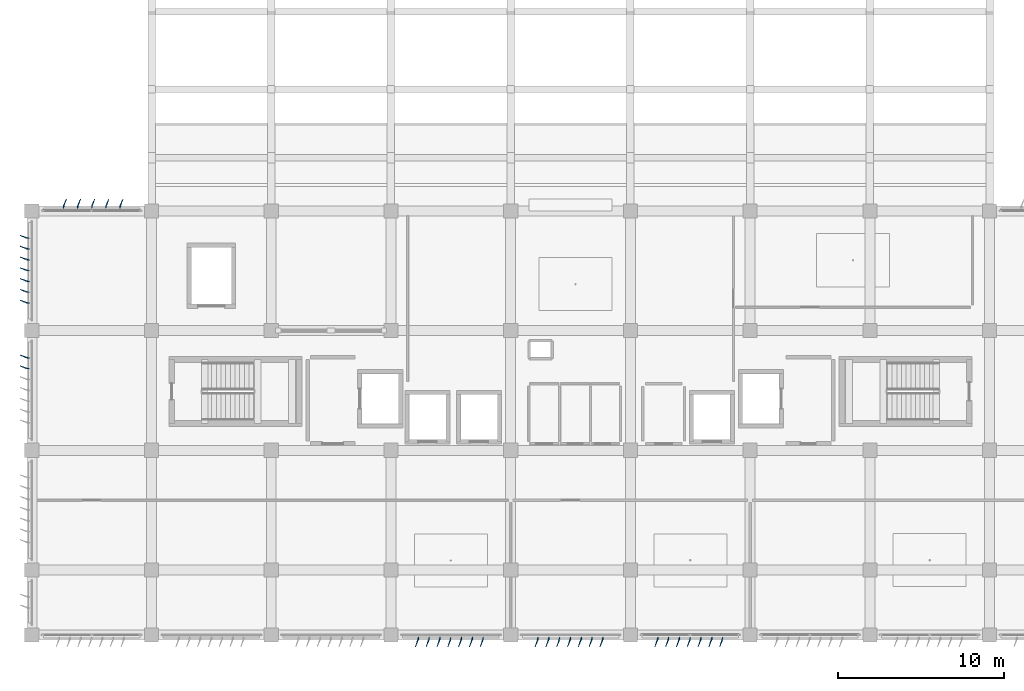
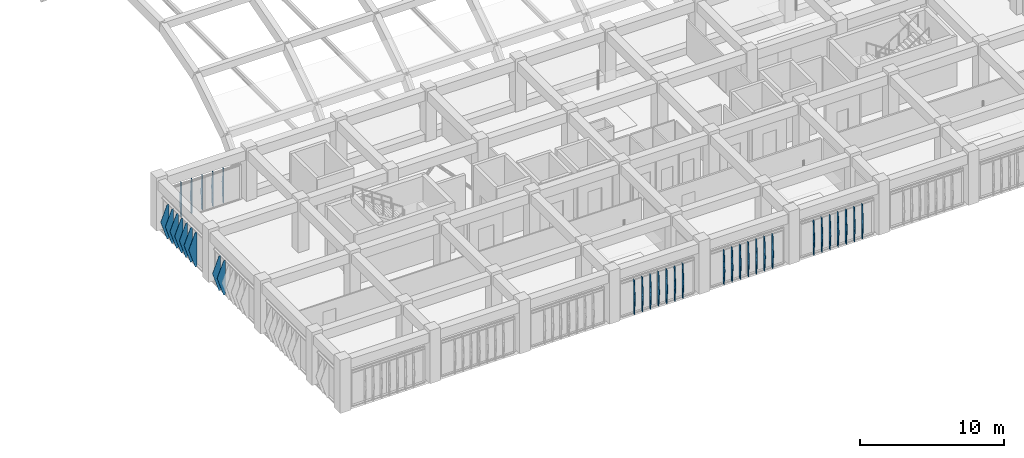
# One storey, part 43 of 48: 35 plates.
"""IFC4 building model written with IfcOpenShell, lengths in metres."""

from ifc_helpers import new_model, si_unit, direction, frame, origin, place, context, subcontext, project, spatial, polygons, material, layer, layer_set, type_object, element, save


model = new_model("IFC4")

# Units and contexts
model_context = context("Model", 3, precision=1e-05, world=origin(), true_north=direction((0.0, 1.0)))
body_context = subcontext(model_context, "Body", "Model", "MODEL_VIEW")
ifc_project = project(units=[si_unit("LENGTHUNIT", "METRE"), si_unit("AREAUNIT", "SQUARE_METRE"), si_unit("VOLUMEUNIT", "CUBIC_METRE"), si_unit("PLANEANGLEUNIT", "RADIAN"), si_unit("MASSUNIT", "GRAM", prefix="KILO")], contexts=[model_context])

# Site, building, storey
site_placement = place(None, origin())
site = spatial("IfcSite", under=ifc_project, at=site_placement, CompositionType="ELEMENT")
building_placement = place(site_placement, origin())
building = spatial("IfcBuilding", under=site, at=building_placement, Name="Kazehaya Institute of Natural Sciences", CompositionType="ELEMENT")
storey_placement = place(building_placement, frame((0.0, 0.0, 19.800048828125)))
storey = spatial("IfcBuildingStorey", under=building, at=storey_placement, Name="L04", CompositionType="ELEMENT", Elevation=19.800048828125)

# Plates
ifc_material = material(Name="Bronze-anodised aluminium alloy A6063S-T5", Category="aluminium")
ifc_layer_1 = layer(ifc_material, 0.02001953125, Name="Bronze-anodised aluminium alloy A6063S-T5", Category="aluminium")
ifc_layer_set_1 = layer_set([ifc_layer_1], Name="Bronze-anodised aluminium alloy A6063S-T5")
plate_type_1 = type_object("IfcPlateType", Name="FIN-DF-E1", PredefinedType="USERDEFINED", material=ifc_layer_set_1)
plate_1_placement = place(storey_placement, origin())
element("IfcPlate", 1, at=plate_1_placement, inside=storey, type_object=plate_type_1, Name="L04 folded diamond-pyramid shading fin FIN-L04-W-0209", ObjectType="SHADING_FIN", PredefinedType="USERDEFINED", context=body_context, shape_type="Tessellation", body=[
    polygons([(54.445068359375, 26.090087890625, 0.0400390625), (54.300048828125, 26.090087890625, 0.0400390625), (53.889892578125, 26.268798828125, 1.5), (54.300048828125, 26.090087890625, 2.9599609375), (54.445068359375, 26.090087890625, 2.9599609375), (54.445068359375, 26.110107421875, 0.0400390625), (54.300048828125, 26.110107421875, 0.0400390625), (53.889892578125, 26.288818359375, 1.5), (54.300048828125, 26.110107421875, 2.9599609375), (54.445068359375, 26.110107421875, 2.9599609375)], [[[1, 5, 4, 3, 2]], [[6, 7, 8, 9, 10]], [[1, 2, 7, 6]], [[2, 3, 8, 7]], [[3, 4, 9, 8]], [[4, 5, 10, 9]], [[5, 1, 6, 10]]], closed=True),
])
plate_2_placement = place(storey_placement, origin())
element("IfcPlate", 2, at=plate_2_placement, inside=storey, type_object=plate_type_1, Name="L04 folded diamond-pyramid shading fin FIN-L04-W-0210", ObjectType="SHADING_FIN", PredefinedType="USERDEFINED", context=body_context, shape_type="Tessellation", body=[
    polygons([(54.445068359375, 26.739990234375, 0.0400390625), (54.300048828125, 26.739990234375, 0.0400390625), (53.889892578125, 26.918701171875, 1.5), (54.300048828125, 26.739990234375, 2.9599609375), (54.445068359375, 26.739990234375, 2.9599609375), (54.445068359375, 26.760009765625, 0.0400390625), (54.300048828125, 26.760009765625, 0.0400390625), (53.889892578125, 26.938720703125, 1.5), (54.300048828125, 26.760009765625, 2.9599609375), (54.445068359375, 26.760009765625, 2.9599609375)], [[[1, 5, 4, 3, 2]], [[6, 7, 8, 9, 10]], [[1, 2, 7, 6]], [[2, 3, 8, 7]], [[3, 4, 9, 8]], [[4, 5, 10, 9]], [[5, 1, 6, 10]]], closed=True),
])
plate_3_placement = place(storey_placement, origin())
element("IfcPlate", 3, at=plate_3_placement, inside=storey, type_object=plate_type_1, Name="L04 folded diamond-pyramid shading fin FIN-L04-W-0218", ObjectType="SHADING_FIN", PredefinedType="USERDEFINED", context=body_context, shape_type="Tessellation", body=[
    polygons([(54.445068359375, 30.0400390625, 0.0400390625), (54.300048828125, 30.0400390625, 0.0400390625), (53.889892578125, 30.21875, 1.5), (54.300048828125, 30.0400390625, 2.9599609375), (54.445068359375, 30.0400390625, 2.9599609375), (54.445068359375, 30.06005859375, 0.0400390625), (54.300048828125, 30.06005859375, 0.0400390625), (53.889892578125, 30.23876953125, 1.5), (54.300048828125, 30.06005859375, 2.9599609375), (54.445068359375, 30.06005859375, 2.9599609375)], [[[1, 5, 4, 3, 2]], [[6, 7, 8, 9, 10]], [[1, 2, 7, 6]], [[2, 3, 8, 7]], [[3, 4, 9, 8]], [[4, 5, 10, 9]], [[5, 1, 6, 10]]], closed=True),
])
plate_4_placement = place(storey_placement, origin())
element("IfcPlate", 4, at=plate_4_placement, inside=storey, type_object=plate_type_1, Name="L04 folded diamond-pyramid shading fin FIN-L04-W-0219", ObjectType="SHADING_FIN", PredefinedType="USERDEFINED", context=body_context, shape_type="Tessellation", body=[
    polygons([(54.445068359375, 30.68994140625, 0.0400390625), (54.300048828125, 30.68994140625, 0.0400390625), (53.889892578125, 30.86865234375, 1.5), (54.300048828125, 30.68994140625, 2.9599609375), (54.445068359375, 30.68994140625, 2.9599609375), (54.445068359375, 30.7099609375, 0.0400390625), (54.300048828125, 30.7099609375, 0.0400390625), (53.889892578125, 30.888671875, 1.5), (54.300048828125, 30.7099609375, 2.9599609375), (54.445068359375, 30.7099609375, 2.9599609375)], [[[1, 5, 4, 3, 2]], [[6, 7, 8, 9, 10]], [[1, 2, 7, 6]], [[2, 3, 8, 7]], [[3, 4, 9, 8]], [[4, 5, 10, 9]], [[5, 1, 6, 10]]], closed=True),
])
plate_5_placement = place(storey_placement, origin())
element("IfcPlate", 5, at=plate_5_placement, inside=storey, type_object=plate_type_1, Name="L04 folded diamond-pyramid shading fin FIN-L04-W-0220", ObjectType="SHADING_FIN", PredefinedType="USERDEFINED", context=body_context, shape_type="Tessellation", body=[
    polygons([(54.445068359375, 31.340087890625, 0.0400390625), (54.300048828125, 31.340087890625, 0.0400390625), (53.889892578125, 31.518798828125, 1.5), (54.300048828125, 31.340087890625, 2.9599609375), (54.445068359375, 31.340087890625, 2.9599609375), (54.445068359375, 31.360107421875, 0.0400390625), (54.300048828125, 31.360107421875, 0.0400390625), (53.889892578125, 31.538818359375, 1.5), (54.300048828125, 31.360107421875, 2.9599609375), (54.445068359375, 31.360107421875, 2.9599609375)], [[[1, 5, 4, 3, 2]], [[6, 7, 8, 9, 10]], [[1, 2, 7, 6]], [[2, 3, 8, 7]], [[3, 4, 9, 8]], [[4, 5, 10, 9]], [[5, 1, 6, 10]]], closed=True),
])
plate_6_placement = place(storey_placement, origin())
element("IfcPlate", 6, at=plate_6_placement, inside=storey, type_object=plate_type_1, Name="L04 folded diamond-pyramid shading fin FIN-L04-W-0221", ObjectType="SHADING_FIN", PredefinedType="USERDEFINED", context=body_context, shape_type="Tessellation", body=[
    polygons([(54.445068359375, 31.989990234375, 0.0400390625), (54.300048828125, 31.989990234375, 0.0400390625), (53.889892578125, 32.168701171875, 1.5), (54.300048828125, 31.989990234375, 2.9599609375), (54.445068359375, 31.989990234375, 2.9599609375), (54.445068359375, 32.010009765625, 0.0400390625), (54.300048828125, 32.010009765625, 0.0400390625), (53.889892578125, 32.188720703125, 1.5), (54.300048828125, 32.010009765625, 2.9599609375), (54.445068359375, 32.010009765625, 2.9599609375)], [[[1, 5, 4, 3, 2]], [[6, 7, 8, 9, 10]], [[1, 2, 7, 6]], [[2, 3, 8, 7]], [[3, 4, 9, 8]], [[4, 5, 10, 9]], [[5, 1, 6, 10]]], closed=True),
])
plate_7_placement = place(storey_placement, origin())
element("IfcPlate", 7, at=plate_7_placement, inside=storey, type_object=plate_type_1, Name="L04 folded diamond-pyramid shading fin FIN-L04-W-0222", ObjectType="SHADING_FIN", PredefinedType="USERDEFINED", context=body_context, shape_type="Tessellation", body=[
    polygons([(54.445068359375, 32.639892578125, 0.0400390625), (54.300048828125, 32.639892578125, 0.0400390625), (53.889892578125, 32.818603515625, 1.5), (54.300048828125, 32.639892578125, 2.9599609375), (54.445068359375, 32.639892578125, 2.9599609375), (54.445068359375, 32.659912109375, 0.0400390625), (54.300048828125, 32.659912109375, 0.0400390625), (53.889892578125, 32.838623046875, 1.5), (54.300048828125, 32.659912109375, 2.9599609375), (54.445068359375, 32.659912109375, 2.9599609375)], [[[1, 5, 4, 3, 2]], [[6, 7, 8, 9, 10]], [[1, 2, 7, 6]], [[2, 3, 8, 7]], [[3, 4, 9, 8]], [[4, 5, 10, 9]], [[5, 1, 6, 10]]], closed=True),
])
plate_8_placement = place(storey_placement, origin())
element("IfcPlate", 8, at=plate_8_placement, inside=storey, type_object=plate_type_1, Name="L04 folded diamond-pyramid shading fin FIN-L04-W-0223", ObjectType="SHADING_FIN", PredefinedType="USERDEFINED", context=body_context, shape_type="Tessellation", body=[
    polygons([(54.445068359375, 33.2900390625, 0.0400390625), (54.300048828125, 33.2900390625, 0.0400390625), (53.889892578125, 33.46875, 1.5), (54.300048828125, 33.2900390625, 2.9599609375), (54.445068359375, 33.2900390625, 2.9599609375), (54.445068359375, 33.31005859375, 0.0400390625), (54.300048828125, 33.31005859375, 0.0400390625), (53.889892578125, 33.48876953125, 1.5), (54.300048828125, 33.31005859375, 2.9599609375), (54.445068359375, 33.31005859375, 2.9599609375)], [[[1, 5, 4, 3, 2]], [[6, 7, 8, 9, 10]], [[1, 2, 7, 6]], [[2, 3, 8, 7]], [[3, 4, 9, 8]], [[4, 5, 10, 9]], [[5, 1, 6, 10]]], closed=True),
])
plate_9_placement = place(storey_placement, origin())
element("IfcPlate", 9, at=plate_9_placement, inside=storey, type_object=plate_type_1, Name="L04 folded diamond-pyramid shading fin FIN-L04-W-0224", ObjectType="SHADING_FIN", PredefinedType="USERDEFINED", context=body_context, shape_type="Tessellation", body=[
    polygons([(54.445068359375, 33.93994140625, 0.0400390625), (54.300048828125, 33.93994140625, 0.0400390625), (53.889892578125, 34.11865234375, 1.5), (54.300048828125, 33.93994140625, 2.9599609375), (54.445068359375, 33.93994140625, 2.9599609375), (54.445068359375, 33.9599609375, 0.0400390625), (54.300048828125, 33.9599609375, 0.0400390625), (53.889892578125, 34.138671875, 1.5), (54.300048828125, 33.9599609375, 2.9599609375), (54.445068359375, 33.9599609375, 2.9599609375)], [[[1, 5, 4, 3, 2]], [[6, 7, 8, 9, 10]], [[1, 2, 7, 6]], [[2, 3, 8, 7]], [[3, 4, 9, 8]], [[4, 5, 10, 9]], [[5, 1, 6, 10]]], closed=True),
])
ifc_layer_2 = layer(ifc_material, 0.02001953125, Name="Bronze-anodised aluminium alloy A6063S-T5", Category="aluminium")
ifc_layer_set_2 = layer_set([ifc_layer_2], Name="Bronze-anodised aluminium alloy A6063S-T5")
plate_type_2 = type_object("IfcPlateType", Name="FIN-DF-N1", PredefinedType="USERDEFINED", material=ifc_layer_set_2)
plate_10_placement = place(storey_placement, origin())
element("IfcPlate", 10, at=plate_10_placement, inside=storey, type_object=plate_type_2, Name="L04 folded diamond-pyramid shading fin FIN-L04-N-0176", ObjectType="SHADING_FIN", PredefinedType="USERDEFINED", context=body_context, shape_type="Tessellation", body=[
    polygons([(56.489990234375, 35.7548828125, 0.0400390625), (56.489990234375, 35.89990234375, 0.0400390625), (56.668701171875, 36.31005859375, 1.5), (56.489990234375, 35.89990234375, 2.9599609375), (56.489990234375, 35.7548828125, 2.9599609375), (56.510009765625, 35.7548828125, 0.0400390625), (56.510009765625, 35.89990234375, 0.0400390625), (56.688720703125, 36.31005859375, 1.5), (56.510009765625, 35.89990234375, 2.9599609375), (56.510009765625, 35.7548828125, 2.9599609375)], [[[1, 5, 4, 3, 2]], [[6, 7, 8, 9, 10]], [[1, 2, 7, 6]], [[2, 3, 8, 7]], [[3, 4, 9, 8]], [[4, 5, 10, 9]], [[5, 1, 6, 10]]], closed=True),
])
plate_11_placement = place(storey_placement, origin())
element("IfcPlate", 11, at=plate_11_placement, inside=storey, type_object=plate_type_2, Name="L04 folded diamond-pyramid shading fin FIN-L04-N-0177", ObjectType="SHADING_FIN", PredefinedType="USERDEFINED", context=body_context, shape_type="Tessellation", body=[
    polygons([(57.340087890625, 35.7548828125, 0.0400390625), (57.340087890625, 35.89990234375, 0.0400390625), (57.518798828125, 36.31005859375, 1.5), (57.340087890625, 35.89990234375, 2.9599609375), (57.340087890625, 35.7548828125, 2.9599609375), (57.360107421875, 35.7548828125, 0.0400390625), (57.360107421875, 35.89990234375, 0.0400390625), (57.538818359375, 36.31005859375, 1.5), (57.360107421875, 35.89990234375, 2.9599609375), (57.360107421875, 35.7548828125, 2.9599609375)], [[[1, 5, 4, 3, 2]], [[6, 7, 8, 9, 10]], [[1, 2, 7, 6]], [[2, 3, 8, 7]], [[3, 4, 9, 8]], [[4, 5, 10, 9]], [[5, 1, 6, 10]]], closed=True),
])
plate_12_placement = place(storey_placement, origin())
element("IfcPlate", 12, at=plate_12_placement, inside=storey, type_object=plate_type_2, Name="L04 folded diamond-pyramid shading fin FIN-L04-N-0178", ObjectType="SHADING_FIN", PredefinedType="USERDEFINED", context=body_context, shape_type="Tessellation", body=[
    polygons([(58.18994140625, 35.7548828125, 0.0400390625), (58.18994140625, 35.89990234375, 0.0400390625), (58.36865234375, 36.31005859375, 1.5), (58.18994140625, 35.89990234375, 2.9599609375), (58.18994140625, 35.7548828125, 2.9599609375), (58.2099609375, 35.7548828125, 0.0400390625), (58.2099609375, 35.89990234375, 0.0400390625), (58.388671875, 36.31005859375, 1.5), (58.2099609375, 35.89990234375, 2.9599609375), (58.2099609375, 35.7548828125, 2.9599609375)], [[[1, 5, 4, 3, 2]], [[6, 7, 8, 9, 10]], [[1, 2, 7, 6]], [[2, 3, 8, 7]], [[3, 4, 9, 8]], [[4, 5, 10, 9]], [[5, 1, 6, 10]]], closed=True),
])
plate_13_placement = place(storey_placement, origin())
element("IfcPlate", 13, at=plate_13_placement, inside=storey, type_object=plate_type_2, Name="L04 folded diamond-pyramid shading fin FIN-L04-N-0179", ObjectType="SHADING_FIN", PredefinedType="USERDEFINED", context=body_context, shape_type="Tessellation", body=[
    polygons([(59.0400390625, 35.7548828125, 0.0400390625), (59.0400390625, 35.89990234375, 0.0400390625), (59.21875, 36.31005859375, 1.5), (59.0400390625, 35.89990234375, 2.9599609375), (59.0400390625, 35.7548828125, 2.9599609375), (59.06005859375, 35.7548828125, 0.0400390625), (59.06005859375, 35.89990234375, 0.0400390625), (59.23876953125, 36.31005859375, 1.5), (59.06005859375, 35.89990234375, 2.9599609375), (59.06005859375, 35.7548828125, 2.9599609375)], [[[1, 5, 4, 3, 2]], [[6, 7, 8, 9, 10]], [[1, 2, 7, 6]], [[2, 3, 8, 7]], [[3, 4, 9, 8]], [[4, 5, 10, 9]], [[5, 1, 6, 10]]], closed=True),
])
plate_14_placement = place(storey_placement, origin())
element("IfcPlate", 14, at=plate_14_placement, inside=storey, type_object=plate_type_2, Name="L04 folded diamond-pyramid shading fin FIN-L04-N-0180", ObjectType="SHADING_FIN", PredefinedType="USERDEFINED", context=body_context, shape_type="Tessellation", body=[
    polygons([(59.889892578125, 35.7548828125, 0.0400390625), (59.889892578125, 35.89990234375, 0.0400390625), (60.068603515625, 36.31005859375, 1.5), (59.889892578125, 35.89990234375, 2.9599609375), (59.889892578125, 35.7548828125, 2.9599609375), (59.909912109375, 35.7548828125, 0.0400390625), (59.909912109375, 35.89990234375, 0.0400390625), (60.088623046875, 36.31005859375, 1.5), (59.909912109375, 35.89990234375, 2.9599609375), (59.909912109375, 35.7548828125, 2.9599609375)], [[[1, 5, 4, 3, 2]], [[6, 7, 8, 9, 10]], [[1, 2, 7, 6]], [[2, 3, 8, 7]], [[3, 4, 9, 8]], [[4, 5, 10, 9]], [[5, 1, 6, 10]]], closed=True),
])
ifc_layer_3 = layer(ifc_material, 0.02001953125, Name="Bronze-anodised aluminium alloy A6063S-T5", Category="aluminium")
ifc_layer_set_3 = layer_set([ifc_layer_3], Name="Bronze-anodised aluminium alloy A6063S-T5")
plate_type_3 = type_object("IfcPlateType", Name="FIN-DF-S1", PredefinedType="USERDEFINED", material=ifc_layer_set_3)
plate_15_placement = place(storey_placement, origin())
element("IfcPlate", 15, at=plate_15_placement, inside=storey, type_object=plate_type_3, Name="L04 folded diamond-pyramid shading fin FIN-L04-S-0134", ObjectType="SHADING_FIN", PredefinedType="USERDEFINED", context=body_context, shape_type="Tessellation", body=[
    polygons([(96.159912109375, 9.945068359375, 0.0400390625), (96.159912109375, 9.800048828125, 0.0400390625), (95.981201171875, 9.389892578125, 1.5), (96.159912109375, 9.800048828125, 2.9599609375), (96.159912109375, 9.945068359375, 2.9599609375), (96.139892578125, 9.945068359375, 0.0400390625), (96.139892578125, 9.800048828125, 0.0400390625), (95.961181640625, 9.389892578125, 1.5), (96.139892578125, 9.800048828125, 2.9599609375), (96.139892578125, 9.945068359375, 2.9599609375)], [[[1, 5, 4, 3, 2]], [[6, 7, 8, 9, 10]], [[1, 2, 7, 6]], [[2, 3, 8, 7]], [[3, 4, 9, 8]], [[4, 5, 10, 9]], [[5, 1, 6, 10]]], closed=True),
])
plate_16_placement = place(storey_placement, origin())
element("IfcPlate", 16, at=plate_16_placement, inside=storey, type_object=plate_type_3, Name="L04 folded diamond-pyramid shading fin FIN-L04-S-0135", ObjectType="SHADING_FIN", PredefinedType="USERDEFINED", context=body_context, shape_type="Tessellation", body=[
    polygons([(95.510009765625, 9.945068359375, 0.0400390625), (95.510009765625, 9.800048828125, 0.0400390625), (95.331298828125, 9.389892578125, 1.5), (95.510009765625, 9.800048828125, 2.9599609375), (95.510009765625, 9.945068359375, 2.9599609375), (95.489990234375, 9.945068359375, 0.0400390625), (95.489990234375, 9.800048828125, 0.0400390625), (95.311279296875, 9.389892578125, 1.5), (95.489990234375, 9.800048828125, 2.9599609375), (95.489990234375, 9.945068359375, 2.9599609375)], [[[1, 5, 4, 3, 2]], [[6, 7, 8, 9, 10]], [[1, 2, 7, 6]], [[2, 3, 8, 7]], [[3, 4, 9, 8]], [[4, 5, 10, 9]], [[5, 1, 6, 10]]], closed=True),
])
plate_17_placement = place(storey_placement, origin())
element("IfcPlate", 17, at=plate_17_placement, inside=storey, type_object=plate_type_3, Name="L04 folded diamond-pyramid shading fin FIN-L04-S-0136", ObjectType="SHADING_FIN", PredefinedType="USERDEFINED", context=body_context, shape_type="Tessellation", body=[
    polygons([(94.860107421875, 9.945068359375, 0.0400390625), (94.860107421875, 9.800048828125, 0.0400390625), (94.681396484375, 9.389892578125, 1.5), (94.860107421875, 9.800048828125, 2.9599609375), (94.860107421875, 9.945068359375, 2.9599609375), (94.840087890625, 9.945068359375, 0.0400390625), (94.840087890625, 9.800048828125, 0.0400390625), (94.661376953125, 9.389892578125, 1.5), (94.840087890625, 9.800048828125, 2.9599609375), (94.840087890625, 9.945068359375, 2.9599609375)], [[[1, 5, 4, 3, 2]], [[6, 7, 8, 9, 10]], [[1, 2, 7, 6]], [[2, 3, 8, 7]], [[3, 4, 9, 8]], [[4, 5, 10, 9]], [[5, 1, 6, 10]]], closed=True),
])
plate_18_placement = place(storey_placement, origin())
element("IfcPlate", 18, at=plate_18_placement, inside=storey, type_object=plate_type_3, Name="L04 folded diamond-pyramid shading fin FIN-L04-S-0137", ObjectType="SHADING_FIN", PredefinedType="USERDEFINED", context=body_context, shape_type="Tessellation", body=[
    polygons([(94.2099609375, 9.945068359375, 0.0400390625), (94.2099609375, 9.800048828125, 0.0400390625), (94.03125, 9.389892578125, 1.5), (94.2099609375, 9.800048828125, 2.9599609375), (94.2099609375, 9.945068359375, 2.9599609375), (94.18994140625, 9.945068359375, 0.0400390625), (94.18994140625, 9.800048828125, 0.0400390625), (94.01123046875, 9.389892578125, 1.5), (94.18994140625, 9.800048828125, 2.9599609375), (94.18994140625, 9.945068359375, 2.9599609375)], [[[1, 5, 4, 3, 2]], [[6, 7, 8, 9, 10]], [[1, 2, 7, 6]], [[2, 3, 8, 7]], [[3, 4, 9, 8]], [[4, 5, 10, 9]], [[5, 1, 6, 10]]], closed=True),
])
plate_19_placement = place(storey_placement, origin())
element("IfcPlate", 19, at=plate_19_placement, inside=storey, type_object=plate_type_3, Name="L04 folded diamond-pyramid shading fin FIN-L04-S-0138", ObjectType="SHADING_FIN", PredefinedType="USERDEFINED", context=body_context, shape_type="Tessellation", body=[
    polygons([(93.56005859375, 9.945068359375, 0.0400390625), (93.56005859375, 9.800048828125, 0.0400390625), (93.38134765625, 9.389892578125, 1.5), (93.56005859375, 9.800048828125, 2.9599609375), (93.56005859375, 9.945068359375, 2.9599609375), (93.5400390625, 9.945068359375, 0.0400390625), (93.5400390625, 9.800048828125, 0.0400390625), (93.361328125, 9.389892578125, 1.5), (93.5400390625, 9.800048828125, 2.9599609375), (93.5400390625, 9.945068359375, 2.9599609375)], [[[1, 5, 4, 3, 2]], [[6, 7, 8, 9, 10]], [[1, 2, 7, 6]], [[2, 3, 8, 7]], [[3, 4, 9, 8]], [[4, 5, 10, 9]], [[5, 1, 6, 10]]], closed=True),
])
plate_20_placement = place(storey_placement, origin())
element("IfcPlate", 20, at=plate_20_placement, inside=storey, type_object=plate_type_3, Name="L04 folded diamond-pyramid shading fin FIN-L04-S-0139", ObjectType="SHADING_FIN", PredefinedType="USERDEFINED", context=body_context, shape_type="Tessellation", body=[
    polygons([(92.909912109375, 9.945068359375, 0.0400390625), (92.909912109375, 9.800048828125, 0.0400390625), (92.731201171875, 9.389892578125, 1.5), (92.909912109375, 9.800048828125, 2.9599609375), (92.909912109375, 9.945068359375, 2.9599609375), (92.889892578125, 9.945068359375, 0.0400390625), (92.889892578125, 9.800048828125, 0.0400390625), (92.711181640625, 9.389892578125, 1.5), (92.889892578125, 9.800048828125, 2.9599609375), (92.889892578125, 9.945068359375, 2.9599609375)], [[[1, 5, 4, 3, 2]], [[6, 7, 8, 9, 10]], [[1, 2, 7, 6]], [[2, 3, 8, 7]], [[3, 4, 9, 8]], [[4, 5, 10, 9]], [[5, 1, 6, 10]]], closed=True),
])
plate_21_placement = place(storey_placement, origin())
element("IfcPlate", 21, at=plate_21_placement, inside=storey, type_object=plate_type_3, Name="L04 folded diamond-pyramid shading fin FIN-L04-S-0140", ObjectType="SHADING_FIN", PredefinedType="USERDEFINED", context=body_context, shape_type="Tessellation", body=[
    polygons([(92.260009765625, 9.945068359375, 0.0400390625), (92.260009765625, 9.800048828125, 0.0400390625), (92.081298828125, 9.389892578125, 1.5), (92.260009765625, 9.800048828125, 2.9599609375), (92.260009765625, 9.945068359375, 2.9599609375), (92.239990234375, 9.945068359375, 0.0400390625), (92.239990234375, 9.800048828125, 0.0400390625), (92.061279296875, 9.389892578125, 1.5), (92.239990234375, 9.800048828125, 2.9599609375), (92.239990234375, 9.945068359375, 2.9599609375)], [[[1, 5, 4, 3, 2]], [[6, 7, 8, 9, 10]], [[1, 2, 7, 6]], [[2, 3, 8, 7]], [[3, 4, 9, 8]], [[4, 5, 10, 9]], [[5, 1, 6, 10]]], closed=True),
])
plate_22_placement = place(storey_placement, origin())
element("IfcPlate", 22, at=plate_22_placement, inside=storey, type_object=plate_type_3, Name="L04 folded diamond-pyramid shading fin FIN-L04-S-0141", ObjectType="SHADING_FIN", PredefinedType="USERDEFINED", context=body_context, shape_type="Tessellation", body=[
    polygons([(88.9599609375, 9.945068359375, 0.0400390625), (88.9599609375, 9.800048828125, 0.0400390625), (88.78125, 9.389892578125, 1.5), (88.9599609375, 9.800048828125, 2.9599609375), (88.9599609375, 9.945068359375, 2.9599609375), (88.93994140625, 9.945068359375, 0.0400390625), (88.93994140625, 9.800048828125, 0.0400390625), (88.76123046875, 9.389892578125, 1.5), (88.93994140625, 9.800048828125, 2.9599609375), (88.93994140625, 9.945068359375, 2.9599609375)], [[[1, 5, 4, 3, 2]], [[6, 7, 8, 9, 10]], [[1, 2, 7, 6]], [[2, 3, 8, 7]], [[3, 4, 9, 8]], [[4, 5, 10, 9]], [[5, 1, 6, 10]]], closed=True),
])
plate_23_placement = place(storey_placement, origin())
element("IfcPlate", 23, at=plate_23_placement, inside=storey, type_object=plate_type_3, Name="L04 folded diamond-pyramid shading fin FIN-L04-S-0142", ObjectType="SHADING_FIN", PredefinedType="USERDEFINED", context=body_context, shape_type="Tessellation", body=[
    polygons([(88.31005859375, 9.945068359375, 0.0400390625), (88.31005859375, 9.800048828125, 0.0400390625), (88.13134765625, 9.389892578125, 1.5), (88.31005859375, 9.800048828125, 2.9599609375), (88.31005859375, 9.945068359375, 2.9599609375), (88.2900390625, 9.945068359375, 0.0400390625), (88.2900390625, 9.800048828125, 0.0400390625), (88.111328125, 9.389892578125, 1.5), (88.2900390625, 9.800048828125, 2.9599609375), (88.2900390625, 9.945068359375, 2.9599609375)], [[[1, 5, 4, 3, 2]], [[6, 7, 8, 9, 10]], [[1, 2, 7, 6]], [[2, 3, 8, 7]], [[3, 4, 9, 8]], [[4, 5, 10, 9]], [[5, 1, 6, 10]]], closed=True),
])
plate_24_placement = place(storey_placement, origin())
element("IfcPlate", 24, at=plate_24_placement, inside=storey, type_object=plate_type_3, Name="L04 folded diamond-pyramid shading fin FIN-L04-S-0143", ObjectType="SHADING_FIN", PredefinedType="USERDEFINED", context=body_context, shape_type="Tessellation", body=[
    polygons([(87.659912109375, 9.945068359375, 0.0400390625), (87.659912109375, 9.800048828125, 0.0400390625), (87.481201171875, 9.389892578125, 1.5), (87.659912109375, 9.800048828125, 2.9599609375), (87.659912109375, 9.945068359375, 2.9599609375), (87.639892578125, 9.945068359375, 0.0400390625), (87.639892578125, 9.800048828125, 0.0400390625), (87.461181640625, 9.389892578125, 1.5), (87.639892578125, 9.800048828125, 2.9599609375), (87.639892578125, 9.945068359375, 2.9599609375)], [[[1, 5, 4, 3, 2]], [[6, 7, 8, 9, 10]], [[1, 2, 7, 6]], [[2, 3, 8, 7]], [[3, 4, 9, 8]], [[4, 5, 10, 9]], [[5, 1, 6, 10]]], closed=True),
])
plate_25_placement = place(storey_placement, origin())
element("IfcPlate", 25, at=plate_25_placement, inside=storey, type_object=plate_type_3, Name="L04 folded diamond-pyramid shading fin FIN-L04-S-0144", ObjectType="SHADING_FIN", PredefinedType="USERDEFINED", context=body_context, shape_type="Tessellation", body=[
    polygons([(87.010009765625, 9.945068359375, 0.0400390625), (87.010009765625, 9.800048828125, 0.0400390625), (86.831298828125, 9.389892578125, 1.5), (87.010009765625, 9.800048828125, 2.9599609375), (87.010009765625, 9.945068359375, 2.9599609375), (86.989990234375, 9.945068359375, 0.0400390625), (86.989990234375, 9.800048828125, 0.0400390625), (86.811279296875, 9.389892578125, 1.5), (86.989990234375, 9.800048828125, 2.9599609375), (86.989990234375, 9.945068359375, 2.9599609375)], [[[1, 5, 4, 3, 2]], [[6, 7, 8, 9, 10]], [[1, 2, 7, 6]], [[2, 3, 8, 7]], [[3, 4, 9, 8]], [[4, 5, 10, 9]], [[5, 1, 6, 10]]], closed=True),
])
plate_26_placement = place(storey_placement, origin())
element("IfcPlate", 26, at=plate_26_placement, inside=storey, type_object=plate_type_3, Name="L04 folded diamond-pyramid shading fin FIN-L04-S-0145", ObjectType="SHADING_FIN", PredefinedType="USERDEFINED", context=body_context, shape_type="Tessellation", body=[
    polygons([(86.360107421875, 9.945068359375, 0.0400390625), (86.360107421875, 9.800048828125, 0.0400390625), (86.181396484375, 9.389892578125, 1.5), (86.360107421875, 9.800048828125, 2.9599609375), (86.360107421875, 9.945068359375, 2.9599609375), (86.340087890625, 9.945068359375, 0.0400390625), (86.340087890625, 9.800048828125, 0.0400390625), (86.161376953125, 9.389892578125, 1.5), (86.340087890625, 9.800048828125, 2.9599609375), (86.340087890625, 9.945068359375, 2.9599609375)], [[[1, 5, 4, 3, 2]], [[6, 7, 8, 9, 10]], [[1, 2, 7, 6]], [[2, 3, 8, 7]], [[3, 4, 9, 8]], [[4, 5, 10, 9]], [[5, 1, 6, 10]]], closed=True),
])
plate_27_placement = place(storey_placement, origin())
element("IfcPlate", 27, at=plate_27_placement, inside=storey, type_object=plate_type_3, Name="L04 folded diamond-pyramid shading fin FIN-L04-S-0146", ObjectType="SHADING_FIN", PredefinedType="USERDEFINED", context=body_context, shape_type="Tessellation", body=[
    polygons([(85.7099609375, 9.945068359375, 0.0400390625), (85.7099609375, 9.800048828125, 0.0400390625), (85.53125, 9.389892578125, 1.5), (85.7099609375, 9.800048828125, 2.9599609375), (85.7099609375, 9.945068359375, 2.9599609375), (85.68994140625, 9.945068359375, 0.0400390625), (85.68994140625, 9.800048828125, 0.0400390625), (85.51123046875, 9.389892578125, 1.5), (85.68994140625, 9.800048828125, 2.9599609375), (85.68994140625, 9.945068359375, 2.9599609375)], [[[1, 5, 4, 3, 2]], [[6, 7, 8, 9, 10]], [[1, 2, 7, 6]], [[2, 3, 8, 7]], [[3, 4, 9, 8]], [[4, 5, 10, 9]], [[5, 1, 6, 10]]], closed=True),
])
plate_28_placement = place(storey_placement, origin())
element("IfcPlate", 28, at=plate_28_placement, inside=storey, type_object=plate_type_3, Name="L04 folded diamond-pyramid shading fin FIN-L04-S-0147", ObjectType="SHADING_FIN", PredefinedType="USERDEFINED", context=body_context, shape_type="Tessellation", body=[
    polygons([(85.06005859375, 9.945068359375, 0.0400390625), (85.06005859375, 9.800048828125, 0.0400390625), (84.88134765625, 9.389892578125, 1.5), (85.06005859375, 9.800048828125, 2.9599609375), (85.06005859375, 9.945068359375, 2.9599609375), (85.0400390625, 9.945068359375, 0.0400390625), (85.0400390625, 9.800048828125, 0.0400390625), (84.861328125, 9.389892578125, 1.5), (85.0400390625, 9.800048828125, 2.9599609375), (85.0400390625, 9.945068359375, 2.9599609375)], [[[1, 5, 4, 3, 2]], [[6, 7, 8, 9, 10]], [[1, 2, 7, 6]], [[2, 3, 8, 7]], [[3, 4, 9, 8]], [[4, 5, 10, 9]], [[5, 1, 6, 10]]], closed=True),
])
plate_29_placement = place(storey_placement, origin())
element("IfcPlate", 29, at=plate_29_placement, inside=storey, type_object=plate_type_3, Name="L04 folded diamond-pyramid shading fin FIN-L04-S-0148", ObjectType="SHADING_FIN", PredefinedType="USERDEFINED", context=body_context, shape_type="Tessellation", body=[
    polygons([(81.760009765625, 9.945068359375, 0.0400390625), (81.760009765625, 9.800048828125, 0.0400390625), (81.581298828125, 9.389892578125, 1.5), (81.760009765625, 9.800048828125, 2.9599609375), (81.760009765625, 9.945068359375, 2.9599609375), (81.739990234375, 9.945068359375, 0.0400390625), (81.739990234375, 9.800048828125, 0.0400390625), (81.561279296875, 9.389892578125, 1.5), (81.739990234375, 9.800048828125, 2.9599609375), (81.739990234375, 9.945068359375, 2.9599609375)], [[[1, 5, 4, 3, 2]], [[6, 7, 8, 9, 10]], [[1, 2, 7, 6]], [[2, 3, 8, 7]], [[3, 4, 9, 8]], [[4, 5, 10, 9]], [[5, 1, 6, 10]]], closed=True),
])
plate_30_placement = place(storey_placement, origin())
element("IfcPlate", 30, at=plate_30_placement, inside=storey, type_object=plate_type_3, Name="L04 folded diamond-pyramid shading fin FIN-L04-S-0149", ObjectType="SHADING_FIN", PredefinedType="USERDEFINED", context=body_context, shape_type="Tessellation", body=[
    polygons([(81.110107421875, 9.945068359375, 0.0400390625), (81.110107421875, 9.800048828125, 0.0400390625), (80.931396484375, 9.389892578125, 1.5), (81.110107421875, 9.800048828125, 2.9599609375), (81.110107421875, 9.945068359375, 2.9599609375), (81.090087890625, 9.945068359375, 0.0400390625), (81.090087890625, 9.800048828125, 0.0400390625), (80.911376953125, 9.389892578125, 1.5), (81.090087890625, 9.800048828125, 2.9599609375), (81.090087890625, 9.945068359375, 2.9599609375)], [[[1, 5, 4, 3, 2]], [[6, 7, 8, 9, 10]], [[1, 2, 7, 6]], [[2, 3, 8, 7]], [[3, 4, 9, 8]], [[4, 5, 10, 9]], [[5, 1, 6, 10]]], closed=True),
])
plate_31_placement = place(storey_placement, origin())
element("IfcPlate", 31, at=plate_31_placement, inside=storey, type_object=plate_type_3, Name="L04 folded diamond-pyramid shading fin FIN-L04-S-0150", ObjectType="SHADING_FIN", PredefinedType="USERDEFINED", context=body_context, shape_type="Tessellation", body=[
    polygons([(80.4599609375, 9.945068359375, 0.0400390625), (80.4599609375, 9.800048828125, 0.0400390625), (80.28125, 9.389892578125, 1.5), (80.4599609375, 9.800048828125, 2.9599609375), (80.4599609375, 9.945068359375, 2.9599609375), (80.43994140625, 9.945068359375, 0.0400390625), (80.43994140625, 9.800048828125, 0.0400390625), (80.26123046875, 9.389892578125, 1.5), (80.43994140625, 9.800048828125, 2.9599609375), (80.43994140625, 9.945068359375, 2.9599609375)], [[[1, 5, 4, 3, 2]], [[6, 7, 8, 9, 10]], [[1, 2, 7, 6]], [[2, 3, 8, 7]], [[3, 4, 9, 8]], [[4, 5, 10, 9]], [[5, 1, 6, 10]]], closed=True),
])
plate_32_placement = place(storey_placement, origin())
element("IfcPlate", 32, at=plate_32_placement, inside=storey, type_object=plate_type_3, Name="L04 folded diamond-pyramid shading fin FIN-L04-S-0151", ObjectType="SHADING_FIN", PredefinedType="USERDEFINED", context=body_context, shape_type="Tessellation", body=[
    polygons([(79.81005859375, 9.945068359375, 0.0400390625), (79.81005859375, 9.800048828125, 0.0400390625), (79.63134765625, 9.389892578125, 1.5), (79.81005859375, 9.800048828125, 2.9599609375), (79.81005859375, 9.945068359375, 2.9599609375), (79.7900390625, 9.945068359375, 0.0400390625), (79.7900390625, 9.800048828125, 0.0400390625), (79.611328125, 9.389892578125, 1.5), (79.7900390625, 9.800048828125, 2.9599609375), (79.7900390625, 9.945068359375, 2.9599609375)], [[[1, 5, 4, 3, 2]], [[6, 7, 8, 9, 10]], [[1, 2, 7, 6]], [[2, 3, 8, 7]], [[3, 4, 9, 8]], [[4, 5, 10, 9]], [[5, 1, 6, 10]]], closed=True),
])
plate_33_placement = place(storey_placement, origin())
element("IfcPlate", 33, at=plate_33_placement, inside=storey, type_object=plate_type_3, Name="L04 folded diamond-pyramid shading fin FIN-L04-S-0152", ObjectType="SHADING_FIN", PredefinedType="USERDEFINED", context=body_context, shape_type="Tessellation", body=[
    polygons([(79.159912109375, 9.945068359375, 0.0400390625), (79.159912109375, 9.800048828125, 0.0400390625), (78.981201171875, 9.389892578125, 1.5), (79.159912109375, 9.800048828125, 2.9599609375), (79.159912109375, 9.945068359375, 2.9599609375), (79.139892578125, 9.945068359375, 0.0400390625), (79.139892578125, 9.800048828125, 0.0400390625), (78.961181640625, 9.389892578125, 1.5), (79.139892578125, 9.800048828125, 2.9599609375), (79.139892578125, 9.945068359375, 2.9599609375)], [[[1, 5, 4, 3, 2]], [[6, 7, 8, 9, 10]], [[1, 2, 7, 6]], [[2, 3, 8, 7]], [[3, 4, 9, 8]], [[4, 5, 10, 9]], [[5, 1, 6, 10]]], closed=True),
])
plate_34_placement = place(storey_placement, origin())
element("IfcPlate", 34, at=plate_34_placement, inside=storey, type_object=plate_type_3, Name="L04 folded diamond-pyramid shading fin FIN-L04-S-0153", ObjectType="SHADING_FIN", PredefinedType="USERDEFINED", context=body_context, shape_type="Tessellation", body=[
    polygons([(78.510009765625, 9.945068359375, 0.0400390625), (78.510009765625, 9.800048828125, 0.0400390625), (78.331298828125, 9.389892578125, 1.5), (78.510009765625, 9.800048828125, 2.9599609375), (78.510009765625, 9.945068359375, 2.9599609375), (78.489990234375, 9.945068359375, 0.0400390625), (78.489990234375, 9.800048828125, 0.0400390625), (78.311279296875, 9.389892578125, 1.5), (78.489990234375, 9.800048828125, 2.9599609375), (78.489990234375, 9.945068359375, 2.9599609375)], [[[1, 5, 4, 3, 2]], [[6, 7, 8, 9, 10]], [[1, 2, 7, 6]], [[2, 3, 8, 7]], [[3, 4, 9, 8]], [[4, 5, 10, 9]], [[5, 1, 6, 10]]], closed=True),
])
plate_35_placement = place(storey_placement, origin())
element("IfcPlate", 35, at=plate_35_placement, inside=storey, type_object=plate_type_3, Name="L04 folded diamond-pyramid shading fin FIN-L04-S-0154", ObjectType="SHADING_FIN", PredefinedType="USERDEFINED", context=body_context, shape_type="Tessellation", body=[
    polygons([(77.860107421875, 9.945068359375, 0.0400390625), (77.860107421875, 9.800048828125, 0.0400390625), (77.681396484375, 9.389892578125, 1.5), (77.860107421875, 9.800048828125, 2.9599609375), (77.860107421875, 9.945068359375, 2.9599609375), (77.840087890625, 9.945068359375, 0.0400390625), (77.840087890625, 9.800048828125, 0.0400390625), (77.661376953125, 9.389892578125, 1.5), (77.840087890625, 9.800048828125, 2.9599609375), (77.840087890625, 9.945068359375, 2.9599609375)], [[[1, 5, 4, 3, 2]], [[6, 7, 8, 9, 10]], [[1, 2, 7, 6]], [[2, 3, 8, 7]], [[3, 4, 9, 8]], [[4, 5, 10, 9]], [[5, 1, 6, 10]]], closed=True),
])

save(model, "model.ifc")
